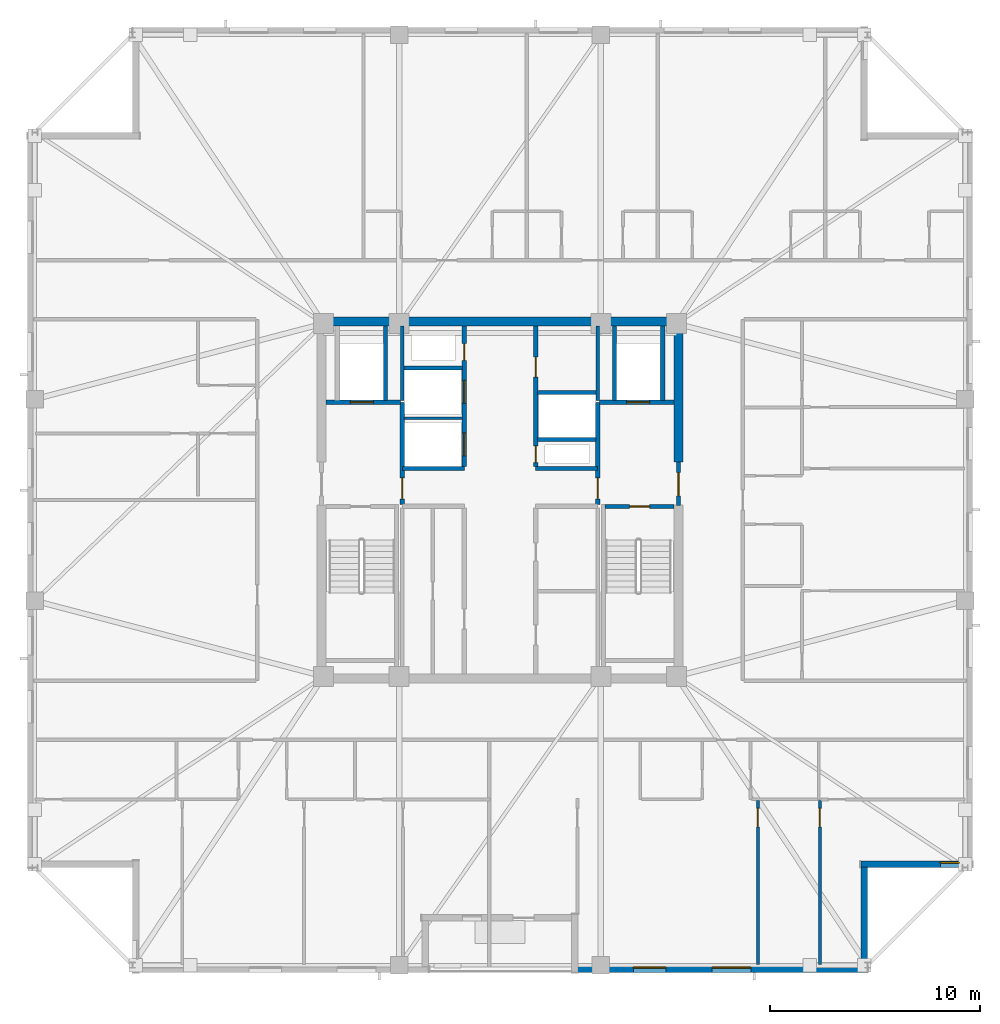
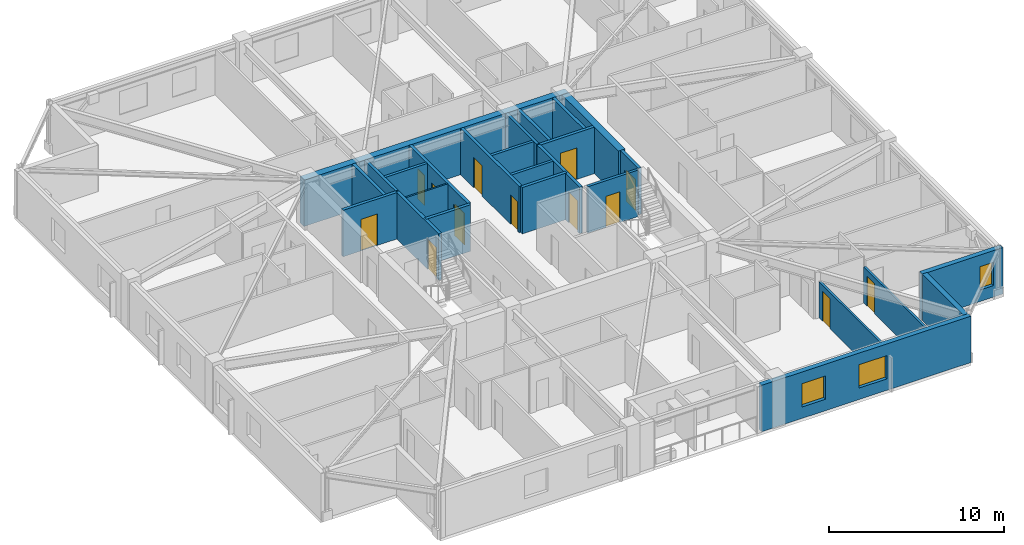
# One storey, part 9 of 17: 26 walls, 13 doors, 3 windows, 16 openings.
"""IFC4 building model written with IfcOpenShell, lengths in metres."""

from ifc_helpers import new_model, si_unit, direction, frame, frame_2d, origin, place, context, subcontext, project, spatial, rectangle, extrude, material, layer, layer_set, type_object, element, fill, save


model = new_model("IFC4")

# Units and contexts
model_context = context("Model", 3, precision=1e-05, world=origin(), true_north=direction((0.0, 1.0)))
body_context = subcontext(model_context, "Body", "Model", "MODEL_VIEW")
ifc_project = project(units=[si_unit("LENGTHUNIT", "METRE"), si_unit("AREAUNIT", "SQUARE_METRE"), si_unit("VOLUMEUNIT", "CUBIC_METRE"), si_unit("PLANEANGLEUNIT", "RADIAN"), si_unit("MASSUNIT", "GRAM", prefix="KILO")], contexts=[model_context])

# Site, building, storey
site_placement = place(None, origin())
site = spatial("IfcSite", under=ifc_project, at=site_placement, CompositionType="ELEMENT")
building_placement = place(site_placement, origin())
building = spatial("IfcBuilding", under=site, at=building_placement, Name="Cairnveth Concourse Tower", CompositionType="ELEMENT")
storey_placement = place(building_placement, frame((0.0, 0.0, 272.5)))
storey = spatial("IfcBuildingStorey", under=building, at=storey_placement, Name="L75", CompositionType="ELEMENT", Elevation=272.5)

# Walls
ifc_material_1 = material(Name="Concrete N65 (65 MPa)", Category="concrete")
ifc_layer_1 = layer(ifc_material_1, 0.449951171875)
ifc_layer_set_1 = layer_set([ifc_layer_1], Name="Concrete N65 (65 MPa)")
wall_type_1 = type_object("IfcWallType", Name="CORE SHEAR WALL 450", PredefinedType="SHEAR", material=ifc_layer_set_1)
wall_1_placement = place(storey_placement, frame((43.27490234375, 47.5, 0.0), z_axis=(0.0, 0.0, 1.0), x_axis=(1.0, 0.0, 0.0)))
element("IfcWall", 1, at=wall_1_placement, inside=storey, type_object=wall_type_1, Name="Core North Shear Wall L75", PredefinedType="SHEAR", context=body_context, shape_type="SweptSolid", body=[
    extrude(rectangle(XDim=17.4501953125, YDim=0.449951171875, at=frame_2d((8.72509765625, 0.0))), origin(), (0.0, 0.0, 1.0), 3.239990234375),
])
wall_2_placement = place(storey_placement, frame((60.5, 40.800048828125, 0.0), z_axis=(0.0, 0.0, 1.0), x_axis=(0.0, 1.0, 0.0)))
element("IfcWall", 2, at=wall_2_placement, inside=storey, type_object=wall_type_1, Name="Core East Shear Wall N L75", PredefinedType="SHEAR", context=body_context, shape_type="SweptSolid", body=[
    extrude(rectangle(XDim=6.48486328125, YDim=0.449951171875, at=frame_2d((3.242431640625, 0.0))), origin(), (0.0, 0.0, 1.0), 3.239990234375),
])
ifc_material_2 = material(Name="Concrete N50 (50 MPa)", Category="concrete")
ifc_layer_2 = layer(ifc_material_2, 0.179931640625)
ifc_layer_set_2 = layer_set([ifc_layer_2], Name="Concrete N50 (50 MPa)")
wall_type_2 = type_object("IfcWallType", Name="FIRE SHAFT WALL 180", PredefinedType="SOLIDWALL", material=ifc_layer_set_2)
wall_3_placement = place(storey_placement, frame((47.35009765625, 43.735107421875, 0.0), z_axis=(0.0, 0.0, 1.0), x_axis=(0.0, 1.0, 0.0)))
element("IfcWall", 3, at=wall_3_placement, inside=storey, type_object=wall_type_2, Name="Interior Wall IW-L75-029", PredefinedType="SOLIDWALL", context=body_context, shape_type="SweptSolid", body=[
    extrude(rectangle(XDim=3.554931640625, YDim=0.179931640625, at=frame_2d((1.77734375, 0.0))), origin(), (0.0, 0.0, 1.0), 3.239990234375),
])
wall_4_placement = place(storey_placement, frame((47.425048828125, 45.280029296875, 0.0), z_axis=(0.0, 0.0, 1.0), x_axis=(1.0, 0.0, 0.0)))
element("IfcWall", 4, at=wall_4_placement, inside=storey, type_object=wall_type_2, Name="Interior Wall IW-L75-031", PredefinedType="SOLIDWALL", context=body_context, shape_type="SweptSolid", body=[
    extrude(rectangle(XDim=2.7900390625, YDim=0.179931640625, at=frame_2d((1.39501953125, 0.0))), origin(), (0.0, 0.0, 1.0), 3.239990234375),
])
wall_5_placement = place(storey_placement, frame((56.64990234375, 43.735107421875, 0.0), z_axis=(0.0, 0.0, 1.0), x_axis=(0.0, 1.0, 0.0)))
element("IfcWall", 5, at=wall_5_placement, inside=storey, type_object=wall_type_2, Name="Interior Wall IW-L75-032", PredefinedType="SOLIDWALL", context=body_context, shape_type="SweptSolid", body=[
    extrude(rectangle(XDim=3.554931640625, YDim=0.179931640625, at=frame_2d((1.77734375, 0.0))), origin(), (0.0, 0.0, 1.0), 3.239990234375),
])
wall_6_placement = place(storey_placement, frame((53.784912109375, 41.8798828125, 0.0), z_axis=(0.0, 0.0, 1.0), x_axis=(1.0, 0.0, 0.0)))
element("IfcWall", 6, at=wall_6_placement, inside=storey, type_object=wall_type_2, Name="Interior Wall IW-L75-033", PredefinedType="SOLIDWALL", context=body_context, shape_type="SweptSolid", body=[
    extrude(rectangle(XDim=2.780029296875, YDim=0.179931640625, at=frame_2d((1.39013671875, 0.0))), origin(), (0.0, 0.0, 1.0), 3.239990234375),
])
wall_7_placement = place(storey_placement, frame((53.784912109375, 44.1201171875, 0.0), z_axis=(0.0, 0.0, 1.0), x_axis=(1.0, 0.0, 0.0)))
element("IfcWall", 7, at=wall_7_placement, inside=storey, type_object=wall_type_2, Name="Interior Wall IW-L75-034", PredefinedType="SOLIDWALL", context=body_context, shape_type="SweptSolid", body=[
    extrude(rectangle(XDim=2.7900390625, YDim=0.179931640625, at=frame_2d((1.39501953125, 0.0))), origin(), (0.0, 0.0, 1.0), 3.239990234375),
])

# Wall, opening, door
wall_8_placement = place(storey_placement, frame((57.0048828125, 38.68994140625, 0.0), z_axis=(0.0, 0.0, 1.0), x_axis=(1.0, 0.0, 0.0)))
wall_8 = element("IfcWall", 8, at=wall_8_placement, inside=storey, type_object=wall_type_2, Name="Stair ST-2 Shaft Wall NEAR L75", PredefinedType="SOLIDWALL", context=body_context, shape_type="SweptSolid", body=[
    extrude(rectangle(XDim=3.280029296875, YDim=0.179931640625, at=frame_2d((1.64013671875, 0.0))), origin(), (0.0, 0.0, 1.0), 3.239990234375),
])
opening_1_placement = place(wall_8_placement, frame((1.1650390625, 0.0, 0.0)))
opening_1 = element("IfcOpeningElement", 9, at=opening_1_placement, cuts=wall_8, Name="Opening ID12", PredefinedType="OPENING", context=body_context, shape_type="SweptSolid", body=[
    extrude(rectangle(XDim=0.949951171875, YDim=2.14990234375, at=frame_2d((0.47509765625, 1.074951171875))), frame((0.0, 0.099853515625, 0.0), z_axis=(0.0, -1.0, 0.0), x_axis=(1.0, 0.0, 0.0)), (0.0, 0.0, 1.0), 0.199951171875),
])
ifc_material_3 = material(Name="Steel Grade 350", Category="steel")
door_type_1 = type_object("IfcDoorType", Name="FIRE STAIR DOOR 950X2150", OperationType="NOTDEFINED", PredefinedType="DOOR", material=ifc_material_3)
door_1_placement = place(opening_1_placement, origin())
door_1 = element("IfcDoor", 10, at=door_1_placement, inside=storey, type_object=door_type_1, Name="Stair ST-2 Fire Door L75", OperationType="SINGLE_SWING_RIGHT", OverallHeight=2.14990234375, OverallWidth=0.949951171875, PredefinedType="DOOR", context=body_context, shape_type="SweptSolid", body=[
    extrude(rectangle(XDim=0.949951171875, YDim=2.14990234375, at=frame_2d((0.47509765625, 1.074951171875))), frame((0.0, 0.02490234375, 0.0), z_axis=(0.0, -1.0, 0.0), x_axis=(1.0, 0.0, 0.0)), (0.0, 0.0, 1.0), 0.050048828125),
])
fill(opening_1, door_1)

# Walls
ifc_layer_3 = layer(ifc_material_2, 0.199951171875)
ifc_layer_set_3 = layer_set([ifc_layer_3], Name="Concrete N50 (50 MPa)")
wall_type_3 = type_object("IfcWallType", Name="FIRE SHAFT WALL 200", PredefinedType="SOLIDWALL", material=ifc_layer_set_3)
for number, where, z_axis, x_axis, name in (
    (11, (47.35009765625, 40.5, 0.0), (0.0, 0.0, 1.0), (1.0, 0.0, 0.0), "Interior Wall IW-L75-008"),
    (12, (53.699951171875, 40.5, 0.0), (0.0, 0.0, 1.0), (1.0, 0.0, 0.0), "Interior Wall IW-L75-010"),
):
    element("IfcWall", number, at=place(storey_placement, frame(where, z_axis=z_axis, x_axis=x_axis)), inside=storey, type_object=wall_type_3, Name=name, PredefinedType="SOLIDWALL", context=body_context, shape_type="SweptSolid", body=[
        extrude(rectangle(XDim=2.949951171875, YDim=0.199951171875, at=frame_2d((1.47509765625, 0.0))), origin(), (0.0, 0.0, 1.0), 3.239990234375),
    ])

# Wall, openings, doors
wall_9_placement = place(storey_placement, frame((50.300048828125, 40.5849609375, 0.0), z_axis=(0.0, 0.0, 1.0), x_axis=(0.0, 1.0, 0.0)))
wall_9 = element("IfcWall", 13, at=wall_9_placement, inside=storey, type_object=wall_type_3, Name="Interior Wall IW-L75-013", PredefinedType="SOLIDWALL", context=body_context, shape_type="SweptSolid", body=[
    extrude(rectangle(XDim=6.705078125, YDim=0.199951171875, at=frame_2d((3.3525390625, 0.0))), origin(), (0.0, 0.0, 1.0), 3.239990234375),
])
opening_2_placement = place(wall_9_placement, frame((0.514892578125, 0.0, 0.0)))
opening_2 = element("IfcOpeningElement", 14, at=opening_2_placement, cuts=wall_9, Name="Opening LD-1", PredefinedType="OPENING", context=body_context, shape_type="SweptSolid", body=[
    extrude(rectangle(XDim=1.10009765625, YDim=2.199951171875, at=frame_2d((0.550048828125, 1.10009765625))), frame((0.0, 0.10986328125, 0.0), z_axis=(0.0, -1.0, 0.0), x_axis=(1.0, 0.0, 0.0)), (0.0, 0.0, 1.0), 0.219970703125),
])
opening_3_placement = place(wall_9_placement, frame((3.014892578125, 0.0, 0.0)))
opening_3 = element("IfcOpeningElement", 15, at=opening_3_placement, cuts=wall_9, Name="Opening LD-1", PredefinedType="OPENING", context=body_context, shape_type="SweptSolid", body=[
    extrude(rectangle(XDim=1.10009765625, YDim=2.199951171875, at=frame_2d((0.550048828125, 1.10009765625))), frame((0.0, 0.10986328125, 0.0), z_axis=(0.0, -1.0, 0.0), x_axis=(1.0, 0.0, 0.0)), (0.0, 0.0, 1.0), 0.219970703125),
])
opening_4_placement = place(wall_9_placement, frame((5.06494140625, 0.0, 0.0)))
opening_4 = element("IfcOpeningElement", 16, at=opening_4_placement, cuts=wall_9, Name="Opening ID24", PredefinedType="OPENING", context=body_context, shape_type="SweptSolid", body=[
    extrude(rectangle(XDim=0.800048828125, YDim=2.080078125, at=frame_2d((0.39990234375, 1.0400390625))), frame((0.0, 0.10986328125, 0.0), z_axis=(0.0, -1.0, 0.0), x_axis=(1.0, 0.0, 0.0)), (0.0, 0.0, 1.0), 0.219970703125),
])
ifc_material_4 = material(Name="Architectural Bronze Anodised Aluminium 6063-T6", Category="aluminium")
door_type_2 = type_object("IfcDoorType", Name="LIFT LANDING DOOR 1100X2200", OperationType="SLIDING_TO_LEFT", PredefinedType="DOOR", material=ifc_material_4)
door_2_placement = place(opening_2_placement, origin())
door_2 = element("IfcDoor", 17, at=door_2_placement, inside=storey, type_object=door_type_2, Name="Lift PL7 Landing Door L75", OperationType="SLIDING_TO_LEFT", OverallHeight=2.199951171875, OverallWidth=1.10009765625, PredefinedType="DOOR", context=body_context, shape_type="SweptSolid", body=[
    extrude(rectangle(XDim=1.10009765625, YDim=2.199951171875, at=frame_2d((0.550048828125, 1.10009765625))), frame((0.0, 0.02490234375, 0.0), z_axis=(0.0, -1.0, 0.0), x_axis=(1.0, 0.0, 0.0)), (0.0, 0.0, 1.0), 0.050048828125),
])
fill(opening_2, door_2)
door_3_placement = place(opening_3_placement, origin())
door_3 = element("IfcDoor", 18, at=door_3_placement, inside=storey, type_object=door_type_2, Name="Lift PL8 Landing Door L75", OperationType="SLIDING_TO_LEFT", OverallHeight=2.199951171875, OverallWidth=1.10009765625, PredefinedType="DOOR", context=body_context, shape_type="SweptSolid", body=[
    extrude(rectangle(XDim=1.10009765625, YDim=2.199951171875, at=frame_2d((0.550048828125, 1.10009765625))), frame((0.0, 0.02490234375, 0.0), z_axis=(0.0, -1.0, 0.0), x_axis=(1.0, 0.0, 0.0)), (0.0, 0.0, 1.0), 0.050048828125),
])
fill(opening_3, door_3)
door_type_3 = type_object("IfcDoorType", Name="RISER ACCESS DOOR 800X2100", OperationType="NOTDEFINED", PredefinedType="DOOR", material=ifc_material_3)
door_4_placement = place(opening_4_placement, origin())
door_4 = element("IfcDoor", 19, at=door_4_placement, inside=storey, type_object=door_type_3, Name="NW Electrical Riser Access Door L75", OperationType="SINGLE_SWING_LEFT", OverallHeight=2.080078125, OverallWidth=0.800048828125, PredefinedType="DOOR", context=body_context, shape_type="SweptSolid", body=[
    extrude(rectangle(XDim=0.800048828125, YDim=2.080078125, at=frame_2d((0.39990234375, 1.0400390625))), frame((0.0, 0.02490234375, 0.0), z_axis=(0.0, -1.0, 0.0), x_axis=(1.0, 0.0, 0.0)), (0.0, 0.0, 1.0), 0.050048828125),
])
fill(opening_4, door_4)

wall_10_placement = place(storey_placement, frame((53.699951171875, 40.5849609375, 0.0), z_axis=(0.0, 0.0, 1.0), x_axis=(0.0, 1.0, 0.0)))
wall_10 = element("IfcWall", 20, at=wall_10_placement, inside=storey, type_object=wall_type_3, Name="Interior Wall IW-L75-014", PredefinedType="SOLIDWALL", context=body_context, shape_type="SweptSolid", body=[
    extrude(rectangle(XDim=6.705078125, YDim=0.199951171875, at=frame_2d((3.3525390625, 0.0))), origin(), (0.0, 0.0, 1.0), 3.239990234375),
])
opening_5_placement = place(wall_10_placement, frame((0.195068359375, 0.0, 0.0)))
opening_5 = element("IfcOpeningElement", 21, at=opening_5_placement, cuts=wall_10, Name="Opening ID24", PredefinedType="OPENING", context=body_context, shape_type="SweptSolid", body=[
    extrude(rectangle(XDim=0.800048828125, YDim=2.080078125, at=frame_2d((0.39990234375, 1.0400390625))), frame((0.0, 0.10986328125, 0.0), z_axis=(0.0, -1.0, 0.0), x_axis=(1.0, 0.0, 0.0)), (0.0, 0.0, 1.0), 0.219970703125),
])
opening_6_placement = place(wall_10_placement, frame((4.264892578125, 0.0, 0.0)))
opening_6 = element("IfcOpeningElement", 22, at=opening_6_placement, cuts=wall_10, Name="Opening ID25", PredefinedType="OPENING", context=body_context, shape_type="SweptSolid", body=[
    extrude(rectangle(XDim=0.949951171875, YDim=2.1201171875, at=frame_2d((0.47509765625, 1.06005859375))), frame((0.0, 0.10986328125, 0.0), z_axis=(0.0, -1.0, 0.0), x_axis=(1.0, 0.0, 0.0)), (0.0, 0.0, 1.0), 0.219970703125),
])
door_type_4 = type_object("IfcDoorType", Name="CORE ACCESSIBLE FIRE DOOR 950X2120", OperationType="NOTDEFINED", PredefinedType="DOOR", material=ifc_material_3)
door_5_placement = place(opening_6_placement, origin())
door_5 = element("IfcDoor", 23, at=door_5_placement, inside=storey, type_object=door_type_4, Name="Core NE Accessible WC Door L75", OperationType="SINGLE_SWING_LEFT", OverallHeight=2.1201171875, OverallWidth=0.949951171875, PredefinedType="DOOR", context=body_context, shape_type="SweptSolid", body=[
    extrude(rectangle(XDim=0.949951171875, YDim=2.1201171875, at=frame_2d((0.47509765625, 1.06005859375))), frame((0.0, 0.02490234375, 0.0), z_axis=(0.0, -1.0, 0.0), x_axis=(1.0, 0.0, 0.0)), (0.0, 0.0, 1.0), 0.050048828125),
])
fill(opening_6, door_5)
door_6_placement = place(opening_5_placement, origin())
door_6 = element("IfcDoor", 24, at=door_6_placement, inside=storey, type_object=door_type_3, Name="Hydraulic Riser Door L75", OperationType="SINGLE_SWING_RIGHT", OverallHeight=2.080078125, OverallWidth=0.800048828125, PredefinedType="DOOR", context=body_context, shape_type="SweptSolid", body=[
    extrude(rectangle(XDim=0.800048828125, YDim=2.080078125, at=frame_2d((0.39990234375, 1.0400390625))), frame((0.0, 0.02490234375, 0.0), z_axis=(0.0, -1.0, 0.0), x_axis=(1.0, 0.0, 0.0)), (0.0, 0.0, 1.0), 0.050048828125),
])
fill(opening_5, door_6)

# Wall, opening, door
wall_11_placement = place(storey_placement, frame((47.35009765625, 38.784912109375, 0.0), z_axis=(0.0, 0.0, 1.0), x_axis=(0.0, 1.0, 0.0)))
wall_11 = element("IfcWall", 25, at=wall_11_placement, inside=storey, type_object=wall_type_3, Name="Interior Wall IW-L75-016", PredefinedType="SOLIDWALL", context=body_context, shape_type="SweptSolid", body=[
    extrude(rectangle(XDim=4.864990234375, YDim=0.199951171875, at=frame_2d((2.4326171875, 0.0))), origin(), (0.0, 0.0, 1.0), 3.239990234375),
])
opening_7_placement = place(wall_11_placement, frame((0.264892578125, 0.0, 0.0)))
opening_7 = element("IfcOpeningElement", 26, at=opening_7_placement, cuts=wall_11, Name="Opening ID07", PredefinedType="OPENING", context=body_context, shape_type="SweptSolid", body=[
    extrude(rectangle(XDim=1.0, YDim=2.14990234375, at=frame_2d((0.5, 1.074951171875))), frame((0.0, 0.10986328125, 0.0), z_axis=(0.0, -1.0, 0.0), x_axis=(1.0, 0.0, 0.0)), (0.0, 0.0, 1.0), 0.219970703125),
])
door_type_5 = type_object("IfcDoorType", Name="FIRE CORRIDOR DOOR 1000X2150", OperationType="NOTDEFINED", PredefinedType="DOOR", material=ifc_material_3)
door_7_placement = place(opening_7_placement, origin())
door_7 = element("IfcDoor", 27, at=door_7_placement, inside=storey, type_object=door_type_5, Name="FF Lobby West to Lift Lobby Door L75", OperationType="SINGLE_SWING_RIGHT", OverallHeight=2.14990234375, OverallWidth=1.0, PredefinedType="DOOR", context=body_context, shape_type="SweptSolid", body=[
    extrude(rectangle(XDim=1.0, YDim=2.14990234375, at=frame_2d((0.5, 1.074951171875))), frame((0.0, 0.02490234375, 0.0), z_axis=(0.0, -1.0, 0.0), x_axis=(1.0, 0.0, 0.0)), (0.0, 0.0, 1.0), 0.050048828125),
])
fill(opening_7, door_7)

wall_12_placement = place(storey_placement, frame((43.7099609375, 43.64990234375, 0.0), z_axis=(0.0, 0.0, 1.0), x_axis=(1.0, 0.0, 0.0)))
wall_12 = element("IfcWall", 28, at=wall_12_placement, inside=storey, type_object=wall_type_3, Name="Interior Wall IW-L75-017", PredefinedType="SOLIDWALL", context=body_context, shape_type="SweptSolid", body=[
    extrude(rectangle(XDim=3.554931640625, YDim=0.199951171875, at=frame_2d((1.77734375, 0.0))), origin(), (0.0, 0.0, 1.0), 3.239990234375),
])
opening_8_placement = place(wall_12_placement, frame((1.159912109375, 0.0, 0.0)))
opening_8 = element("IfcOpeningElement", 29, at=opening_8_placement, cuts=wall_12, Name="Opening LD-1", PredefinedType="OPENING", context=body_context, shape_type="SweptSolid", body=[
    extrude(rectangle(XDim=1.10009765625, YDim=2.199951171875, at=frame_2d((0.550048828125, 1.10009765625))), frame((0.0, 0.10986328125, 0.0), z_axis=(0.0, -1.0, 0.0), x_axis=(1.0, 0.0, 0.0)), (0.0, 0.0, 1.0), 0.219970703125),
])
door_8_placement = place(opening_8_placement, origin())
door_8 = element("IfcDoor", 30, at=door_8_placement, inside=storey, type_object=door_type_2, Name="Lift FFL1 Landing Door L75", OperationType="SLIDING_TO_LEFT", OverallHeight=2.199951171875, OverallWidth=1.10009765625, PredefinedType="DOOR", context=body_context, shape_type="SweptSolid", body=[
    extrude(rectangle(XDim=1.10009765625, YDim=2.199951171875, at=frame_2d((0.550048828125, 1.10009765625))), frame((0.0, 0.02490234375, 0.0), z_axis=(0.0, -1.0, 0.0), x_axis=(1.0, 0.0, 0.0)), (0.0, 0.0, 1.0), 0.050048828125),
])
fill(opening_8, door_8)

# Wall
wall_13_placement = place(storey_placement, frame((46.550048828125, 43.735107421875, 0.0), z_axis=(0.0, 0.0, 1.0), x_axis=(0.0, 1.0, 0.0)))
element("IfcWall", 31, at=wall_13_placement, inside=storey, type_object=wall_type_3, Name="Interior Wall IW-L75-018", PredefinedType="SOLIDWALL", context=body_context, shape_type="SweptSolid", body=[
    extrude(rectangle(XDim=3.554931640625, YDim=0.199951171875, at=frame_2d((1.77734375, 0.0))), origin(), (0.0, 0.0, 1.0), 3.239990234375),
])

# Wall, opening, door
wall_14_placement = place(storey_placement, frame((60.5, 38.75, 0.0), z_axis=(0.0, 0.0, 1.0), x_axis=(0.0, 1.0, 0.0)))
wall_14 = element("IfcWall", 32, at=wall_14_placement, inside=storey, type_object=wall_type_3, Name="Interior Wall IW-L75-020", PredefinedType="SOLIDWALL", context=body_context, shape_type="SweptSolid", body=[
    extrude(rectangle(XDim=2.050048828125, YDim=0.199951171875, at=frame_2d((1.02490234375, 0.0))), origin(), (0.0, 0.0, 1.0), 3.239990234375),
])
opening_9_placement = place(wall_14_placement, frame((0.449951171875, 0.0, 0.0)))
opening_9 = element("IfcOpeningElement", 33, at=opening_9_placement, cuts=wall_14, Name="Opening ID06", PredefinedType="OPENING", context=body_context, shape_type="SweptSolid", body=[
    extrude(rectangle(XDim=1.10009765625, YDim=2.14990234375, at=frame_2d((0.550048828125, 1.074951171875))), frame((0.0, 0.10986328125, 0.0), z_axis=(0.0, -1.0, 0.0), x_axis=(1.0, 0.0, 0.0)), (0.0, 0.0, 1.0), 0.219970703125),
])
door_type_6 = type_object("IfcDoorType", Name="FIRE CORRIDOR DOOR 1100X2150", OperationType="NOTDEFINED", PredefinedType="DOOR", material=ifc_material_3)
door_9_placement = place(opening_9_placement, origin())
door_9 = element("IfcDoor", 34, at=door_9_placement, inside=storey, type_object=door_type_6, Name="East Wing to FF Lobby Door L75", OperationType="SINGLE_SWING_RIGHT", OverallHeight=2.14990234375, OverallWidth=1.10009765625, PredefinedType="DOOR", context=body_context, shape_type="SweptSolid", body=[
    extrude(rectangle(XDim=1.10009765625, YDim=2.14990234375, at=frame_2d((0.550048828125, 1.074951171875))), frame((0.0, 0.02490234375, 0.0), z_axis=(0.0, -1.0, 0.0), x_axis=(1.0, 0.0, 0.0)), (0.0, 0.0, 1.0), 0.050048828125),
])
fill(opening_9, door_9)

wall_15_placement = place(storey_placement, frame((56.64990234375, 38.784912109375, 0.0), z_axis=(0.0, 0.0, 1.0), x_axis=(0.0, 1.0, 0.0)))
wall_15 = element("IfcWall", 35, at=wall_15_placement, inside=storey, type_object=wall_type_3, Name="Interior Wall IW-L75-021", PredefinedType="SOLIDWALL", context=body_context, shape_type="SweptSolid", body=[
    extrude(rectangle(XDim=4.864990234375, YDim=0.199951171875, at=frame_2d((2.4326171875, 0.0))), origin(), (0.0, 0.0, 1.0), 3.239990234375),
])
opening_10_placement = place(wall_15_placement, frame((0.264892578125, 0.0, 0.0)))
opening_10 = element("IfcOpeningElement", 36, at=opening_10_placement, cuts=wall_15, Name="Opening ID07", PredefinedType="OPENING", context=body_context, shape_type="SweptSolid", body=[
    extrude(rectangle(XDim=1.0, YDim=2.14990234375, at=frame_2d((0.5, 1.074951171875))), frame((0.0, 0.10986328125, 0.0), z_axis=(0.0, -1.0, 0.0), x_axis=(1.0, 0.0, 0.0)), (0.0, 0.0, 1.0), 0.219970703125),
])
door_10_placement = place(opening_10_placement, origin())
door_10 = element("IfcDoor", 37, at=door_10_placement, inside=storey, type_object=door_type_5, Name="FF Lobby East to Lift Lobby Door L75", OperationType="SINGLE_SWING_LEFT", OverallHeight=2.14990234375, OverallWidth=1.0, PredefinedType="DOOR", context=body_context, shape_type="SweptSolid", body=[
    extrude(rectangle(XDim=1.0, YDim=2.14990234375, at=frame_2d((0.5, 1.074951171875))), frame((0.0, 0.02490234375, 0.0), z_axis=(0.0, -1.0, 0.0), x_axis=(1.0, 0.0, 0.0)), (0.0, 0.0, 1.0), 0.050048828125),
])
fill(opening_10, door_10)

wall_16_placement = place(storey_placement, frame((56.735107421875, 43.64990234375, 0.0), z_axis=(0.0, 0.0, 1.0), x_axis=(1.0, 0.0, 0.0)))
wall_16 = element("IfcWall", 38, at=wall_16_placement, inside=storey, type_object=wall_type_3, Name="Interior Wall IW-L75-022", PredefinedType="SOLIDWALL", context=body_context, shape_type="SweptSolid", body=[
    extrude(rectangle(XDim=3.554931640625, YDim=0.199951171875, at=frame_2d((1.77734375, 0.0))), origin(), (0.0, 0.0, 1.0), 3.239990234375),
])
opening_11_placement = place(wall_16_placement, frame((1.294921875, 0.0, 0.0)))
opening_11 = element("IfcOpeningElement", 39, at=opening_11_placement, cuts=wall_16, Name="Opening LD-1", PredefinedType="OPENING", context=body_context, shape_type="SweptSolid", body=[
    extrude(rectangle(XDim=1.10009765625, YDim=2.199951171875, at=frame_2d((0.550048828125, 1.10009765625))), frame((0.0, 0.10986328125, 0.0), z_axis=(0.0, -1.0, 0.0), x_axis=(1.0, 0.0, 0.0)), (0.0, 0.0, 1.0), 0.219970703125),
])
door_11_placement = place(opening_11_placement, origin())
door_11 = element("IfcDoor", 40, at=door_11_placement, inside=storey, type_object=door_type_2, Name="Lift FFL2 Landing Door L75", OperationType="SLIDING_TO_LEFT", OverallHeight=2.199951171875, OverallWidth=1.10009765625, PredefinedType="DOOR", context=body_context, shape_type="SweptSolid", body=[
    extrude(rectangle(XDim=1.10009765625, YDim=2.199951171875, at=frame_2d((0.550048828125, 1.10009765625))), frame((0.0, 0.02490234375, 0.0), z_axis=(0.0, -1.0, 0.0), x_axis=(1.0, 0.0, 0.0)), (0.0, 0.0, 1.0), 0.050048828125),
])
fill(opening_11, door_11)

# Walls
for number, where, z_axis, x_axis, name in (
    (41, (57.449951171875, 43.735107421875, 0.0), (0.0, 0.0, 1.0), (0.0, 1.0, 0.0), "Interior Wall IW-L75-023"),
    (42, (59.75, 43.735107421875, 0.0), (0.0, 0.0, 1.0), (0.0, 1.0, 0.0), "Interior Wall IW-L75-024"),
):
    element("IfcWall", number, at=place(storey_placement, frame(where, z_axis=z_axis, x_axis=x_axis)), inside=storey, type_object=wall_type_3, Name=name, PredefinedType="SOLIDWALL", context=body_context, shape_type="SweptSolid", body=[
        extrude(rectangle(XDim=3.554931640625, YDim=0.199951171875, at=frame_2d((1.77734375, 0.0))), origin(), (0.0, 0.0, 1.0), 3.239990234375),
    ])

# Wall, opening, door
ifc_material_5 = material(Name="Gypsum Plasterboard Partition", Category="gypsum")
ifc_layer_4 = layer(ifc_material_5, 0.139892578125)
ifc_layer_set_4 = layer_set([ifc_layer_4], Name="Gypsum Plasterboard Partition")
wall_type_4 = type_object("IfcWallType", Name="GYPSUM STUD PARTITION 140", PredefinedType="PARTITIONING", material=ifc_layer_set_4)
wall_17_placement = place(storey_placement, frame((67.22998046875, 16.8798828125, 0.0), z_axis=(0.0, 0.0, 1.0), x_axis=(0.0, 1.0, 0.0)))
wall_17 = element("IfcWall", 43, at=wall_17_placement, inside=storey, type_object=wall_type_4, Name="Interior Wall IW-L75-062", PredefinedType="PARTITIONING", context=body_context, shape_type="SweptSolid", body=[
    extrude(rectangle(XDim=7.817626953125, YDim=0.139892578125, at=frame_2d((3.90869140625, 0.0))), origin(), (0.0, 0.0, 1.0), 2.52294921875),
])
opening_12_placement = place(wall_17_placement, frame((6.5576171875, 0.0, 0.0)))
opening_12 = element("IfcOpeningElement", 44, at=opening_12_placement, cuts=wall_17, Name="Opening ID18", PredefinedType="OPENING", context=body_context, shape_type="SweptSolid", body=[
    extrude(rectangle(XDim=0.8798828125, YDim=2.10009765625, at=frame_2d((0.43994140625, 1.050048828125))), frame((0.0, 0.079833984375, 0.0), z_axis=(0.0, -1.0, 0.0), x_axis=(1.0, 0.0, 0.0)), (0.0, 0.0, 1.0), 0.159912109375),
])
ifc_material_6 = material(Name="Solid Core Hardwood Timber Leaf", Category="wood")
door_type_7 = type_object("IfcDoorType", Name="INTERIOR SINGLE DOOR 880X2100", OperationType="NOTDEFINED", PredefinedType="DOOR", material=ifc_material_6)
door_12_placement = place(opening_12_placement, origin())
door_12 = element("IfcDoor", 45, at=door_12_placement, inside=storey, type_object=door_type_7, Name="L75S2 Bedroom 2 Door", OperationType="SINGLE_SWING_RIGHT", OverallHeight=2.10009765625, OverallWidth=0.8798828125, PredefinedType="DOOR", context=body_context, shape_type="SweptSolid", body=[
    extrude(rectangle(XDim=0.8798828125, YDim=2.10009765625, at=frame_2d((0.43994140625, 1.050048828125))), frame((0.0, 0.02490234375, 0.0), z_axis=(0.0, -1.0, 0.0), x_axis=(1.0, 0.0, 0.0)), (0.0, 0.0, 1.0), 0.050048828125),
])
fill(opening_12, door_12)

wall_18_placement = place(storey_placement, frame((64.280029296875, 16.8798828125, 0.0), z_axis=(0.0, 0.0, 1.0), x_axis=(0.0, 1.0, 0.0)))
wall_18 = element("IfcWall", 46, at=wall_18_placement, inside=storey, type_object=wall_type_4, Name="Interior Wall IW-L75-064", PredefinedType="PARTITIONING", context=body_context, shape_type="SweptSolid", body=[
    extrude(rectangle(XDim=7.817626953125, YDim=0.139892578125, at=frame_2d((3.90869140625, 0.0))), origin(), (0.0, 0.0, 1.0), 2.52294921875),
])
opening_13_placement = place(wall_18_placement, frame((6.5576171875, 0.0, 0.0)))
opening_13 = element("IfcOpeningElement", 47, at=opening_13_placement, cuts=wall_18, Name="Opening ID18", PredefinedType="OPENING", context=body_context, shape_type="SweptSolid", body=[
    extrude(rectangle(XDim=0.8798828125, YDim=2.10009765625, at=frame_2d((0.43994140625, 1.050048828125))), frame((0.0, 0.079833984375, 0.0), z_axis=(0.0, -1.0, 0.0), x_axis=(1.0, 0.0, 0.0)), (0.0, 0.0, 1.0), 0.159912109375),
])
door_13_placement = place(opening_13_placement, origin())
door_13 = element("IfcDoor", 48, at=door_13_placement, inside=storey, type_object=door_type_7, Name="L75S2 Media Lounge Door", OperationType="SINGLE_SWING_LEFT", OverallHeight=2.10009765625, OverallWidth=0.8798828125, PredefinedType="DOOR", context=body_context, shape_type="SweptSolid", body=[
    extrude(rectangle(XDim=0.8798828125, YDim=2.10009765625, at=frame_2d((0.43994140625, 1.050048828125))), frame((0.0, 0.02490234375, 0.0), z_axis=(0.0, -1.0, 0.0), x_axis=(1.0, 0.0, 0.0)), (0.0, 0.0, 1.0), 0.050048828125),
])
fill(opening_13, door_13)

# Wall
ifc_layer_5 = layer(ifc_material_5, 0.110107421875)
ifc_layer_set_5 = layer_set([ifc_layer_5], Name="Gypsum Plasterboard Partition")
wall_type_5 = type_object("IfcWallType", Name="SHAFT DIVIDER WALL 140", PredefinedType="PARTITIONING", material=ifc_layer_set_5)
wall_19_placement = place(storey_placement, frame((47.43505859375, 42.89990234375, 0.0), z_axis=(0.0, 0.0, 1.0), x_axis=(1.0, 0.0, 0.0)))
element("IfcWall", 49, at=wall_19_placement, inside=storey, type_object=wall_type_5, Name="Interior Wall IW-L75-030", PredefinedType="PARTITIONING", context=body_context, shape_type="SweptSolid", body=[
    extrude(rectangle(XDim=2.780029296875, YDim=0.110107421875, at=frame_2d((1.39013671875, 0.0))), origin(), (0.0, 0.0, 1.0), 3.239990234375),
])

# Wall, opening, window
ifc_material_7 = material(Name="Melbourne Buff Fired Clay Brick Masonry", Category="masonry")
ifc_layer_6 = layer(ifc_material_7, 0.320068359375)
ifc_layer_set_6 = layer_set([ifc_layer_6], Name="Melbourne Buff Fired Clay Brick Masonry")
wall_type_6 = type_object("IfcWallType", Name="ZONE 3 BRICK PIER SPANDREL WALL 320", PredefinedType="SOLIDWALL", material=ifc_layer_set_6)
wall_20_placement = place(storey_placement, frame((74.5, 21.659912109375, 0.0), z_axis=(0.0, 0.0, 1.0), x_axis=(-1.0, 0.0, 0.0)))
wall_20 = element("IfcWall", 50, at=wall_20_placement, inside=storey, type_object=wall_type_6, Name="Exterior Wall EW-L75-S10", PredefinedType="SOLIDWALL", context=body_context, shape_type="SweptSolid", body=[
    extrude(rectangle(XDim=5.320068359375, YDim=0.320068359375, at=frame_2d((2.66015625, 0.0))), origin(), (0.0, 0.0, 1.0), 3.239990234375),
])
opening_14_placement = place(wall_20_placement, frame((0.6298828125, 0.0, 0.800048828125)))
opening_14 = element("IfcOpeningElement", 51, at=opening_14_placement, cuts=wall_20, Name="Opening W13", PredefinedType="OPENING", context=body_context, shape_type="SweptSolid", body=[
    extrude(rectangle(XDim=0.89990234375, YDim=1.6279296875, at=frame_2d((0.449951171875, 0.81396484375))), frame((0.0, 0.169921875, 0.0), z_axis=(0.0, -1.0, 0.0), x_axis=(1.0, 0.0, 0.0)), (0.0, 0.0, 1.0), 0.340087890625),
])
ifc_material_8 = material(Name="Double Glazed Low-E Clear Glass", Category="glass")
window_type_1 = type_object("IfcWindowType", Name="DEEP-SET BEDROOM LANCET WINDOW 900X1750", PartitioningType="DOUBLE_PANEL_VERTICAL", PredefinedType="WINDOW", material=ifc_material_8)
window_1_placement = place(opening_14_placement, origin())
window_1 = element("IfcWindow", 52, at=window_1_placement, inside=storey, type_object=window_type_1, Name="Dwelling Lancet Window L75-DW3", OverallHeight=1.6279296875, OverallWidth=0.89990234375, PartitioningType="SINGLE_PANEL", PredefinedType="WINDOW", context=body_context, shape_type="SweptSolid", body=[
    extrude(rectangle(XDim=0.89990234375, YDim=1.6279296875, at=frame_2d((0.449951171875, 0.81396484375))), frame((0.0, -0.0400390625, 0.0), z_axis=(0.0, -1.0, 0.0), x_axis=(1.0, 0.0, 0.0)), (0.0, 0.0, 1.0), 0.06005859375),
])
fill(opening_14, window_1)

# Wall
wall_21_placement = place(storey_placement, frame((69.340087890625, 21.52197265625, 0.0), z_axis=(0.0, 0.0, 1.0), x_axis=(0.0, -1.0, 0.0)))
element("IfcWall", 53, at=wall_21_placement, inside=storey, type_object=wall_type_6, Name="Exterior Wall EW-L75-S11", PredefinedType="SOLIDWALL", context=body_context, shape_type="SweptSolid", body=[
    extrude(rectangle(XDim=4.723876953125, YDim=0.320068359375, at=frame_2d((2.36181640625, 0.0))), origin(), (0.0, 0.0, 1.0), 3.239990234375),
])

# Wall, openings, windows
wall_22_placement = place(storey_placement, frame((69.5, 16.659912109375, 0.0), z_axis=(0.0, 0.0, 1.0), x_axis=(-1.0, 0.0, 0.0)))
wall_22 = element("IfcWall", 54, at=wall_22_placement, inside=storey, type_object=wall_type_6, Name="Exterior Wall EW-L75-S12", PredefinedType="SOLIDWALL", context=body_context, shape_type="SweptSolid", body=[
    extrude(rectangle(XDim=13.802001953125, YDim=0.320068359375, at=frame_2d((6.90087890625, 0.0))), origin(), (0.0, 0.0, 1.0), 3.239990234375),
])
opening_15_placement = place(wall_22_placement, frame((5.550537109375, 0.0, 0.800048828125)))
opening_15 = element("IfcOpeningElement", 55, at=opening_15_placement, cuts=wall_22, Name="Opening W08", PredefinedType="OPENING", context=body_context, shape_type="SweptSolid", body=[
    extrude(rectangle(XDim=1.85009765625, YDim=1.6279296875, at=frame_2d((0.925048828125, 0.81396484375))), frame((0.0, 0.169921875, 0.0), z_axis=(0.0, -1.0, 0.0), x_axis=(1.0, 0.0, 0.0)), (0.0, 0.0, 1.0), 0.340087890625),
])
opening_16_placement = place(wall_22_placement, frame((9.6015625, 0.0, 0.800048828125)))
opening_16 = element("IfcOpeningElement", 56, at=opening_16_placement, cuts=wall_22, Name="Opening W07", PredefinedType="OPENING", context=body_context, shape_type="SweptSolid", body=[
    extrude(rectangle(XDim=1.550048828125, YDim=1.6279296875, at=frame_2d((0.77490234375, 0.81396484375))), frame((0.0, 0.169921875, 0.0), z_axis=(0.0, -1.0, 0.0), x_axis=(1.0, 0.0, 0.0)), (0.0, 0.0, 1.0), 0.340087890625),
])
window_type_2 = type_object("IfcWindowType", Name="DEEP-SET APARTMENT LIVING WINDOW 1850X1850", PartitioningType="DOUBLE_PANEL_VERTICAL", PredefinedType="WINDOW", material=ifc_material_8)
window_2_placement = place(opening_15_placement, origin())
window_2 = element("IfcWindow", 57, at=window_2_placement, inside=storey, type_object=window_type_2, Name="Gothic Lancet Window L75-12-1", OverallHeight=1.6279296875, OverallWidth=1.85009765625, PartitioningType="SINGLE_PANEL", PredefinedType="WINDOW", context=body_context, shape_type="SweptSolid", body=[
    extrude(rectangle(XDim=1.85009765625, YDim=1.6279296875, at=frame_2d((0.925048828125, 0.81396484375))), frame((0.0, -0.050048828125, 0.0), z_axis=(0.0, -1.0, 0.0), x_axis=(1.0, 0.0, 0.0)), (0.0, 0.0, 1.0), 0.06005859375),
])
fill(opening_15, window_2)
window_type_3 = type_object("IfcWindowType", Name="DEEP-SET APARTMENT WINDOW 1550X1800", PartitioningType="DOUBLE_PANEL_VERTICAL", PredefinedType="WINDOW", material=ifc_material_8)
window_3_placement = place(opening_16_placement, origin())
window_3 = element("IfcWindow", 58, at=window_3_placement, inside=storey, type_object=window_type_3, Name="Gothic Lancet Window L75-12-2", OverallHeight=1.6279296875, OverallWidth=1.550048828125, PartitioningType="SINGLE_PANEL", PredefinedType="WINDOW", context=body_context, shape_type="SweptSolid", body=[
    extrude(rectangle(XDim=1.550048828125, YDim=1.6279296875, at=frame_2d((0.77490234375, 0.81396484375))), frame((0.0, -0.050048828125, 0.0), z_axis=(0.0, -1.0, 0.0), x_axis=(1.0, 0.0, 0.0)), (0.0, 0.0, 1.0), 0.06005859375),
])
fill(opening_16, window_3)

save(model, "model.ifc")
